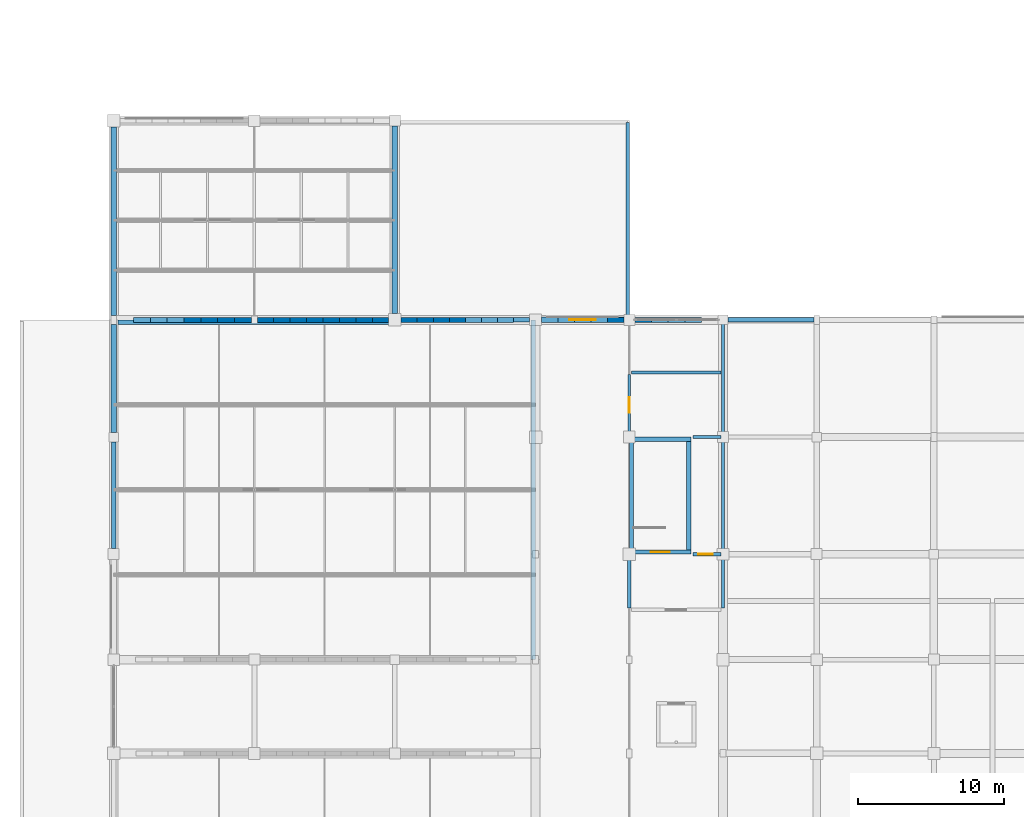
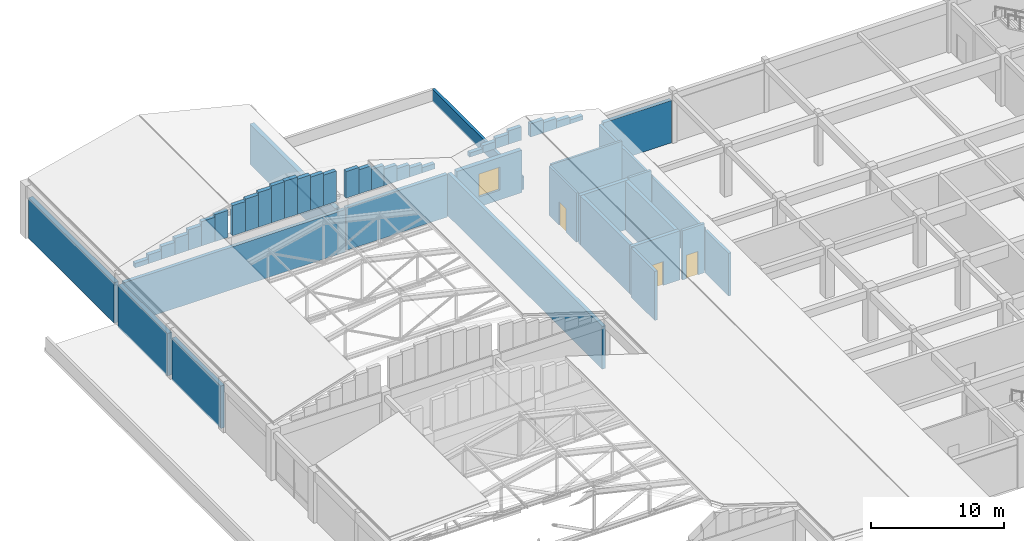
# One storey, part 49 of 61: 52 walls, 3 doors, 1 window, 4 openings.
"""IFC4 building model written with IfcOpenShell, lengths in metres."""

from ifc_helpers import new_model, si_unit, direction, frame, frame_2d, origin, place, context, subcontext, project, spatial, rectangle, extrude, material, layer, layer_set, type_object, element, fill, save


model = new_model("IFC4")

# Units and contexts
model_context = context("Model", 3, precision=1e-05, world=origin(), true_north=direction((0.0, 1.0)))
body_context = subcontext(model_context, "Body", "Model", "MODEL_VIEW")
ifc_project = project(units=[si_unit("LENGTHUNIT", "METRE"), si_unit("AREAUNIT", "SQUARE_METRE"), si_unit("VOLUMEUNIT", "CUBIC_METRE"), si_unit("PLANEANGLEUNIT", "RADIAN"), si_unit("MASSUNIT", "GRAM", prefix="KILO")], contexts=[model_context])

# Site, building, storey
site_placement = place(None, origin())
site = spatial("IfcSite", under=ifc_project, at=site_placement, CompositionType="ELEMENT")
building_placement = place(site_placement, origin())
building = spatial("IfcBuilding", under=site, at=building_placement, Name="Vellmiral Cinema and Media Centre", CompositionType="ELEMENT")
storey_placement = place(building_placement, frame((0.0, 0.0, 10.800048828125)))
storey = spatial("IfcBuildingStorey", under=building, at=storey_placement, Name="L02", CompositionType="ELEMENT", Elevation=10.800048828125)

# Walls
ifc_material_1 = material(Name="Concrete C40/50", Category="concrete")
ifc_layer_1 = layer(ifc_material_1, 0.2099609375, Name="Concrete C40/50")
ifc_layer_set_1 = layer_set([ifc_layer_1], Name="Concrete C40/50")
wall_type_1 = type_object("IfcWallType", Name="WL-COMP-210", PredefinedType="SOLIDWALL", material=ifc_layer_set_1)
wall_1_placement = place(storey_placement, frame((45.93994140625, 87.199951171875, 0.0), z_axis=(0.0, 0.0, 1.0), x_axis=(1.0, 0.0, 0.0)))
element("IfcWall", 1, at=wall_1_placement, inside=storey, type_object=wall_type_1, Name="North-West Core Smoke Riser Room Wall N", PredefinedType="SOLIDWALL", context=body_context, shape_type="SweptSolid", body=[
    extrude(rectangle(XDim=1.920166015625, YDim=0.2099609375, at=frame_2d((0.9599609375, 0.0))), origin(), (0.0, 0.0, 1.0), 4.5),
])
wall_2_placement = place(storey_placement, frame((48.0, 79.340087890625, 0.0), z_axis=(0.0, 0.0, 1.0), x_axis=(0.0, 1.0, 0.0)))
element("IfcWall", 2, at=wall_2_placement, inside=storey, type_object=wall_type_1, Name="North-West Core Smoke Riser Room Wall E", PredefinedType="SOLIDWALL", context=body_context, shape_type="SweptSolid", body=[
    extrude(rectangle(XDim=7.719970703125, YDim=0.2099609375, at=frame_2d((3.85986328125, 0.0))), origin(), (0.0, 0.0, 1.0), 3.89990234375),
])
wall_3_placement = place(storey_placement, frame((48.0, 87.199951171875, 0.0), z_axis=(0.0, 0.0, 1.0), x_axis=(0.0, 1.0, 0.0)))
element("IfcWall", 3, at=wall_3_placement, inside=storey, type_object=wall_type_1, Name="Media Stack Room Wall W", PredefinedType="SOLIDWALL", context=body_context, shape_type="SweptSolid", body=[
    extrude(rectangle(XDim=7.824951171875, YDim=0.2099609375, at=frame_2d((3.91259765625, 0.0))), origin(), (0.0, 0.0, 1.0), 3.89990234375),
])
ifc_material_2 = material(Name="Concrete C40/50", Category="concrete")
ifc_layer_2 = layer(ifc_material_2, 0.300048828125, Name="Concrete C40/50")
ifc_layer_set_2 = layer_set([ifc_layer_2], Name="Concrete C40/50")
wall_type_2 = type_object("IfcWallType", Name="WL-CORE-300", PredefinedType="SHEAR", material=ifc_layer_set_2)
wall_4_placement = place(storey_placement, frame((6.699951171875, 95.050048828125, 0.0), z_axis=(0.0, 0.0, 1.0), x_axis=(1.0, 0.0, 0.0)))
element("IfcWall", 4, at=wall_4_placement, inside=storey, type_object=wall_type_2, Name="Cinema Screen 3 Acoustic Enclosure Wall L02-N1", PredefinedType="SHEAR", context=body_context, shape_type="SweptSolid", body=[
    extrude(rectangle(XDim=19.175048828125, YDim=0.300048828125, at=frame_2d((9.58740234375, 0.0))), origin(), (0.0, 0.0, 1.0), 3.89990234375),
])
wall_5_placement = place(storey_placement, frame((35.050048828125, 72.0, 0.0), z_axis=(0.0, 0.0, 1.0), x_axis=(0.0, 1.0, 0.0)))
element("IfcWall", 5, at=wall_5_placement, inside=storey, type_object=wall_type_2, Name="Cinema Screen 3 Acoustic Enclosure Wall L02-E1", PredefinedType="SHEAR", context=body_context, shape_type="SweptSolid", body=[
    extrude(rectangle(XDim=23.199951171875, YDim=0.300048828125, at=frame_2d((11.60009765625, 0.0))), origin(), (0.0, 0.0, 1.0), 3.89990234375),
])

# Wall, opening, door
wall_6_placement = place(storey_placement, frame((41.60009765625, 79.35009765625, 0.0), z_axis=(0.0, 0.0, 1.0), x_axis=(1.0, 0.0, 0.0)))
wall_6 = element("IfcWall", 6, at=wall_6_placement, inside=storey, type_object=wall_type_2, Name="Stair Core Wall ST-P2 L02-S", PredefinedType="SHEAR", context=body_context, shape_type="SweptSolid", body=[
    extrude(rectangle(XDim=4.199951171875, YDim=0.300048828125, at=frame_2d((2.10009765625, 0.0))), origin(), (0.0, 0.0, 1.0), 4.5),
])
opening_1_placement = place(wall_6_placement, frame((1.449951171875, 0.0, 0.0)))
opening_1 = element("IfcOpeningElement", 7, at=opening_1_placement, cuts=wall_6, Name="Opening D-FD30A", PredefinedType="OPENING", context=body_context, shape_type="SweptSolid", body=[
    extrude(rectangle(XDim=1.300048828125, YDim=2.179931640625, at=frame_2d((0.64990234375, 1.08984375))), frame((0.0, 0.162109375, 0.0), z_axis=(0.0, -1.0, 0.0), x_axis=(1.0, 0.0, 0.0)), (0.0, 0.0, 1.0), 0.323974609375),
])
ifc_material_3 = material(Name="Steel Stair Fire Door", Category="steel")
door_type_1 = type_object("IfcDoorType", Name="DR-FD30-1300x2180", OperationType="NOTDEFINED", PredefinedType="DOOR", material=ifc_material_3)
door_1_placement = place(opening_1_placement, origin())
door_1 = element("IfcDoor", 8, at=door_1_placement, inside=storey, type_object=door_type_1, Name="Protected Stair Door ST-P2 L02", OperationType="SINGLE_SWING_LEFT", OverallHeight=2.179931640625, OverallWidth=1.300048828125, PredefinedType="DOOR", context=body_context, shape_type="SweptSolid", body=[
    extrude(rectangle(XDim=1.300048828125, YDim=2.179931640625, at=frame_2d((0.64990234375, 1.08984375))), frame((0.0, 0.02490234375, 0.0), z_axis=(0.0, -1.0, 0.0), x_axis=(1.0, 0.0, 0.0)), (0.0, 0.0, 1.0), 0.050048828125),
])
fill(opening_1, door_1)

# Walls
wall_7_placement = place(storey_placement, frame((41.60009765625, 87.050048828125, 0.0), z_axis=(0.0, 0.0, 1.0), x_axis=(1.0, 0.0, 0.0)))
element("IfcWall", 9, at=wall_7_placement, inside=storey, type_object=wall_type_2, Name="Stair Core Wall ST-P2 L02-N", PredefinedType="SHEAR", context=body_context, shape_type="SweptSolid", body=[
    extrude(rectangle(XDim=4.199951171875, YDim=0.300048828125, at=frame_2d((2.10009765625, 0.0))), origin(), (0.0, 0.0, 1.0), 4.5),
])
for number, where, z_axis, x_axis, name in (
    (10, (41.75, 79.5, 0.0), (0.0, 0.0, 1.0), (0.0, 1.0, 0.0), "Stair Core Wall ST-P2 L02-W"),
    (11, (45.64990234375, 79.5, 0.0), (0.0, 0.0, 1.0), (0.0, 1.0, 0.0), "Stair Core Wall ST-P2 L02-E"),
):
    element("IfcWall", number, at=place(storey_placement, frame(where, z_axis=z_axis, x_axis=x_axis)), inside=storey, type_object=wall_type_2, Name=name, PredefinedType="SHEAR", context=body_context, shape_type="SweptSolid", body=[
        extrude(rectangle(XDim=7.39990234375, YDim=0.300048828125, at=frame_2d((3.699951171875, 0.0))), origin(), (0.0, 0.0, 1.0), 4.5),
    ])
ifc_material_4 = material(Name="Polychrome Glazed Ceramic Cladding", Category="masonry")
ifc_layer_3 = layer(ifc_material_4, 0.320068359375, Name="Polychrome Glazed Ceramic Cladding")
ifc_layer_set_3 = layer_set([ifc_layer_3], Name="Polychrome Glazed Ceramic Cladding")
wall_type_3 = type_object("IfcWallType", Name="WL-EXT-BRICK-320", PredefinedType="SOLIDWALL", material=ifc_layer_set_3)
wall_8_placement = place(storey_placement, frame((54.199951171875, 95.199951171875, 0.0), z_axis=(0.0, 0.0, 1.0), x_axis=(-1.0, 0.0, 0.0)))
element("IfcWall", 12, at=wall_8_placement, inside=storey, type_object=wall_type_3, Name="Exterior Facade Wall L02-066", PredefinedType="SOLIDWALL", context=body_context, shape_type="SweptSolid", body=[
    extrude(rectangle(XDim=5.875, YDim=0.320068359375, at=frame_2d((2.9375, 0.0))), origin(), (0.0, 0.0, 1.0), 3.885009765625),
])
wall_9_placement = place(storey_placement, frame((34.800048828125, 95.199951171875, 0.0), z_axis=(0.0, 0.0, 1.0), x_axis=(-1.0, 0.0, 0.0)))
element("IfcWall", 13, at=wall_9_placement, inside=storey, type_object=wall_type_3, Name="Exterior Facade Wall L02-069", PredefinedType="SOLIDWALL", context=body_context, shape_type="SweptSolid", body=[
    extrude(rectangle(XDim=8.775146484375, YDim=0.320068359375, at=frame_2d((4.3876953125, 0.0))), origin(), (0.0, 0.0, 1.0), 3.89990234375),
])
wall_10_placement = place(storey_placement, frame((6.39990234375, 86.875, 0.0), z_axis=(0.0, 0.0, 1.0), x_axis=(0.0, -1.0, 0.0)))
element("IfcWall", 14, at=wall_10_placement, inside=storey, type_object=wall_type_3, Name="Exterior Facade Wall L02-075", PredefinedType="SOLIDWALL", context=body_context, shape_type="SweptSolid", body=[
    extrude(rectangle(XDim=7.300048828125, YDim=0.320068359375, at=frame_2d((3.64990234375, 0.0))), origin(), (0.0, 0.0, 1.0), 3.89990234375),
])
ifc_material_5 = material(Name="Vosges Red Sandstone Masonry", Category="masonry")
ifc_layer_4 = layer(ifc_material_5, 0.340087890625, Name="Vosges Red Sandstone Masonry")
ifc_layer_set_4 = layer_set([ifc_layer_4], Name="Vosges Red Sandstone Masonry")
wall_type_4 = type_object("IfcWallType", Name="WL-EXT-SAND-340", PredefinedType="SOLIDWALL", material=ifc_layer_set_4)
wall_11_placement = place(storey_placement, frame((7.75, 95.199951171875, 4.800048828125), z_axis=(0.0, 0.0, 1.0), x_axis=(1.0, 0.0, 0.0)))
element("IfcWall", 15, at=wall_11_placement, inside=storey, type_object=wall_type_4, Name="Cinema Screen 3 Gable End Wall N-1", PredefinedType="SOLIDWALL", context=body_context, shape_type="SweptSolid", body=[
    extrude(rectangle(XDim=1.14990234375, YDim=0.340087890625, at=frame_2d((0.574951171875, 0.0))), origin(), (0.0, 0.0, 1.0), 0.425537109375),
])
wall_12_placement = place(storey_placement, frame((8.89990234375, 95.199951171875, 4.800048828125), z_axis=(0.0, 0.0, 1.0), x_axis=(1.0, 0.0, 0.0)))
element("IfcWall", 16, at=wall_12_placement, inside=storey, type_object=wall_type_4, Name="Cinema Screen 3 Gable End Wall N-2", PredefinedType="SOLIDWALL", context=body_context, shape_type="SweptSolid", body=[
    extrude(rectangle(XDim=1.150146484375, YDim=0.340087890625, at=frame_2d((0.5751953125, 0.0))), origin(), (0.0, 0.0, 1.0), 0.7880859375),
])
wall_13_placement = place(storey_placement, frame((10.050048828125, 95.199951171875, 4.800048828125), z_axis=(0.0, 0.0, 1.0), x_axis=(1.0, 0.0, 0.0)))
element("IfcWall", 17, at=wall_13_placement, inside=storey, type_object=wall_type_4, Name="Cinema Screen 3 Gable End Wall N-3", PredefinedType="SOLIDWALL", context=body_context, shape_type="SweptSolid", body=[
    extrude(rectangle(XDim=1.14990234375, YDim=0.340087890625, at=frame_2d((0.574951171875, 0.0))), origin(), (0.0, 0.0, 1.0), 1.150634765625),
])
wall_14_placement = place(storey_placement, frame((11.199951171875, 95.199951171875, 4.800048828125), z_axis=(0.0, 0.0, 1.0), x_axis=(1.0, 0.0, 0.0)))
element("IfcWall", 18, at=wall_14_placement, inside=storey, type_object=wall_type_4, Name="Cinema Screen 3 Gable End Wall N-4", PredefinedType="SOLIDWALL", context=body_context, shape_type="SweptSolid", body=[
    extrude(rectangle(XDim=1.150146484375, YDim=0.340087890625, at=frame_2d((0.5751953125, 0.0))), origin(), (0.0, 0.0, 1.0), 1.51318359375),
])
wall_15_placement = place(storey_placement, frame((12.35009765625, 95.199951171875, 4.800048828125), z_axis=(0.0, 0.0, 1.0), x_axis=(1.0, 0.0, 0.0)))
element("IfcWall", 19, at=wall_15_placement, inside=storey, type_object=wall_type_4, Name="Cinema Screen 3 Gable End Wall N-5", PredefinedType="SOLIDWALL", context=body_context, shape_type="SweptSolid", body=[
    extrude(rectangle(XDim=1.14990234375, YDim=0.340087890625, at=frame_2d((0.574951171875, 0.0))), origin(), (0.0, 0.0, 1.0), 1.8759765625),
])
wall_16_placement = place(storey_placement, frame((13.5, 95.199951171875, 4.800048828125), z_axis=(0.0, 0.0, 1.0), x_axis=(1.0, 0.0, 0.0)))
element("IfcWall", 20, at=wall_16_placement, inside=storey, type_object=wall_type_4, Name="Cinema Screen 3 Gable End Wall N-6", PredefinedType="SOLIDWALL", context=body_context, shape_type="SweptSolid", body=[
    extrude(rectangle(XDim=1.14990234375, YDim=0.340087890625, at=frame_2d((0.574951171875, 0.0))), origin(), (0.0, 0.0, 1.0), 2.238525390625),
])
wall_17_placement = place(storey_placement, frame((14.64990234375, 95.199951171875, 4.800048828125), z_axis=(0.0, 0.0, 1.0), x_axis=(1.0, 0.0, 0.0)))
element("IfcWall", 21, at=wall_17_placement, inside=storey, type_object=wall_type_4, Name="Cinema Screen 3 Gable End Wall N-7", PredefinedType="SOLIDWALL", context=body_context, shape_type="SweptSolid", body=[
    extrude(rectangle(XDim=1.150146484375, YDim=0.340087890625, at=frame_2d((0.5751953125, 0.0))), origin(), (0.0, 0.0, 1.0), 2.464599609375),
])
wall_18_placement = place(storey_placement, frame((16.199951171875, 95.199951171875, 4.800048828125), z_axis=(0.0, 0.0, 1.0), x_axis=(1.0, 0.0, 0.0)))
element("IfcWall", 22, at=wall_18_placement, inside=storey, type_object=wall_type_4, Name="Cinema Screen 3 Gable End Wall N-8", PredefinedType="SOLIDWALL", context=body_context, shape_type="SweptSolid", body=[
    extrude(rectangle(XDim=1.1220703125, YDim=0.340087890625, at=frame_2d((0.56103515625, 0.0))), origin(), (0.0, 0.0, 1.0), 2.751953125),
])
wall_19_placement = place(storey_placement, frame((17.322021484375, 95.199951171875, 4.800048828125), z_axis=(0.0, 0.0, 1.0), x_axis=(1.0, 0.0, 0.0)))
element("IfcWall", 23, at=wall_19_placement, inside=storey, type_object=wall_type_4, Name="Cinema Screen 3 Gable End Wall N-9", PredefinedType="SOLIDWALL", context=body_context, shape_type="SweptSolid", body=[
    extrude(rectangle(XDim=1.121826171875, YDim=0.340087890625, at=frame_2d((0.56103515625, 0.0))), origin(), (0.0, 0.0, 1.0), 2.9599609375),
])
wall_20_placement = place(storey_placement, frame((18.44384765625, 95.199951171875, 4.800048828125), z_axis=(0.0, 0.0, 1.0), x_axis=(1.0, 0.0, 0.0)))
element("IfcWall", 24, at=wall_20_placement, inside=storey, type_object=wall_type_4, Name="Cinema Screen 3 Gable End Wall N-10", PredefinedType="SOLIDWALL", context=body_context, shape_type="SweptSolid", body=[
    extrude(rectangle(XDim=1.121826171875, YDim=0.340087890625, at=frame_2d((0.56103515625, 0.0))), origin(), (0.0, 0.0, 1.0), 3.167724609375),
])
wall_21_placement = place(storey_placement, frame((19.565673828125, 95.199951171875, 4.800048828125), z_axis=(0.0, 0.0, 1.0), x_axis=(1.0, 0.0, 0.0)))
element("IfcWall", 25, at=wall_21_placement, inside=storey, type_object=wall_type_4, Name="Cinema Screen 3 Gable End Wall N-11", PredefinedType="SOLIDWALL", context=body_context, shape_type="SweptSolid", body=[
    extrude(rectangle(XDim=1.121826171875, YDim=0.340087890625, at=frame_2d((0.56103515625, 0.0))), origin(), (0.0, 0.0, 1.0), 3.375732421875),
])
wall_22_placement = place(storey_placement, frame((20.6875, 95.199951171875, 4.800048828125), z_axis=(0.0, 0.0, 1.0), x_axis=(1.0, 0.0, 0.0)))
element("IfcWall", 26, at=wall_22_placement, inside=storey, type_object=wall_type_4, Name="Cinema Screen 3 Gable End Wall N-12", PredefinedType="SOLIDWALL", context=body_context, shape_type="SweptSolid", body=[
    extrude(rectangle(XDim=1.121826171875, YDim=0.340087890625, at=frame_2d((0.56103515625, 0.0))), origin(), (0.0, 0.0, 1.0), 3.41748046875),
])
wall_23_placement = place(storey_placement, frame((21.809326171875, 95.199951171875, 4.800048828125), z_axis=(0.0, 0.0, 1.0), x_axis=(1.0, 0.0, 0.0)))
element("IfcWall", 27, at=wall_23_placement, inside=storey, type_object=wall_type_4, Name="Cinema Screen 3 Gable End Wall N-13", PredefinedType="SOLIDWALL", context=body_context, shape_type="SweptSolid", body=[
    extrude(rectangle(XDim=1.121826171875, YDim=0.340087890625, at=frame_2d((0.56103515625, 0.0))), origin(), (0.0, 0.0, 1.0), 3.20947265625),
])
wall_24_placement = place(storey_placement, frame((22.93115234375, 95.199951171875, 4.800048828125), z_axis=(0.0, 0.0, 1.0), x_axis=(1.0, 0.0, 0.0)))
element("IfcWall", 28, at=wall_24_placement, inside=storey, type_object=wall_type_4, Name="Cinema Screen 3 Gable End Wall N-14", PredefinedType="SOLIDWALL", context=body_context, shape_type="SweptSolid", body=[
    extrude(rectangle(XDim=1.121826171875, YDim=0.340087890625, at=frame_2d((0.56103515625, 0.0))), origin(), (0.0, 0.0, 1.0), 3.001708984375),
])
wall_25_placement = place(storey_placement, frame((24.052978515625, 95.199951171875, 4.800048828125), z_axis=(0.0, 0.0, 1.0), x_axis=(1.0, 0.0, 0.0)))
element("IfcWall", 29, at=wall_25_placement, inside=storey, type_object=wall_type_4, Name="Cinema Screen 3 Gable End Wall N-15", PredefinedType="SOLIDWALL", context=body_context, shape_type="SweptSolid", body=[
    extrude(rectangle(XDim=1.1220703125, YDim=0.340087890625, at=frame_2d((0.56103515625, 0.0))), origin(), (0.0, 0.0, 1.0), 2.793701171875),
])
wall_26_placement = place(storey_placement, frame((26.02490234375, 95.199951171875, 4.800048828125), z_axis=(0.0, 0.0, 1.0), x_axis=(1.0, 0.0, 0.0)))
element("IfcWall", 30, at=wall_26_placement, inside=storey, type_object=wall_type_4, Name="Cinema Screen 3 Gable End Wall N-16", PredefinedType="SOLIDWALL", context=body_context, shape_type="SweptSolid", body=[
    extrude(rectangle(XDim=1.096923828125, YDim=0.340087890625, at=frame_2d((0.54833984375, 0.0))), origin(), (0.0, 0.0, 1.0), 2.432861328125),
])
wall_27_placement = place(storey_placement, frame((27.121826171875, 95.199951171875, 4.800048828125), z_axis=(0.0, 0.0, 1.0), x_axis=(1.0, 0.0, 0.0)))
element("IfcWall", 31, at=wall_27_placement, inside=storey, type_object=wall_type_4, Name="Cinema Screen 3 Gable End Wall N-17", PredefinedType="SOLIDWALL", context=body_context, shape_type="SweptSolid", body=[
    extrude(rectangle(XDim=1.096923828125, YDim=0.340087890625, at=frame_2d((0.54833984375, 0.0))), origin(), (0.0, 0.0, 1.0), 2.201171875),
])
wall_28_placement = place(storey_placement, frame((28.21875, 95.199951171875, 4.800048828125), z_axis=(0.0, 0.0, 1.0), x_axis=(1.0, 0.0, 0.0)))
element("IfcWall", 32, at=wall_28_placement, inside=storey, type_object=wall_type_4, Name="Cinema Screen 3 Gable End Wall N-18", PredefinedType="SOLIDWALL", context=body_context, shape_type="SweptSolid", body=[
    extrude(rectangle(XDim=1.096923828125, YDim=0.340087890625, at=frame_2d((0.54833984375, 0.0))), origin(), (0.0, 0.0, 1.0), 1.855224609375),
])
wall_29_placement = place(storey_placement, frame((29.315673828125, 95.199951171875, 4.800048828125), z_axis=(0.0, 0.0, 1.0), x_axis=(1.0, 0.0, 0.0)))
element("IfcWall", 33, at=wall_29_placement, inside=storey, type_object=wall_type_4, Name="Cinema Screen 3 Gable End Wall N-19", PredefinedType="SOLIDWALL", context=body_context, shape_type="SweptSolid", body=[
    extrude(rectangle(XDim=1.096923828125, YDim=0.340087890625, at=frame_2d((0.54833984375, 0.0))), origin(), (0.0, 0.0, 1.0), 1.509521484375),
])
wall_30_placement = place(storey_placement, frame((30.41259765625, 95.199951171875, 4.800048828125), z_axis=(0.0, 0.0, 1.0), x_axis=(1.0, 0.0, 0.0)))
element("IfcWall", 34, at=wall_30_placement, inside=storey, type_object=wall_type_4, Name="Cinema Screen 3 Gable End Wall N-20", PredefinedType="SOLIDWALL", context=body_context, shape_type="SweptSolid", body=[
    extrude(rectangle(XDim=1.096923828125, YDim=0.340087890625, at=frame_2d((0.54833984375, 0.0))), origin(), (0.0, 0.0, 1.0), 1.16357421875),
])
wall_31_placement = place(storey_placement, frame((31.509521484375, 95.199951171875, 4.800048828125), z_axis=(0.0, 0.0, 1.0), x_axis=(1.0, 0.0, 0.0)))
element("IfcWall", 35, at=wall_31_placement, inside=storey, type_object=wall_type_4, Name="Cinema Screen 3 Gable End Wall N-21", PredefinedType="SOLIDWALL", context=body_context, shape_type="SweptSolid", body=[
    extrude(rectangle(XDim=1.0966796875, YDim=0.340087890625, at=frame_2d((0.54833984375, 0.0))), origin(), (0.0, 0.0, 1.0), 0.817626953125),
])
wall_32_placement = place(storey_placement, frame((32.606201171875, 95.199951171875, 4.800048828125), z_axis=(0.0, 0.0, 1.0), x_axis=(1.0, 0.0, 0.0)))
element("IfcWall", 36, at=wall_32_placement, inside=storey, type_object=wall_type_4, Name="Cinema Screen 3 Gable End Wall N-22", PredefinedType="SOLIDWALL", context=body_context, shape_type="SweptSolid", body=[
    extrude(rectangle(XDim=1.096923828125, YDim=0.340087890625, at=frame_2d((0.54833984375, 0.0))), origin(), (0.0, 0.0, 1.0), 0.471923828125),
])
wall_33_placement = place(storey_placement, frame((36.72509765625, 95.199951171875, 4.800048828125), z_axis=(0.0, 0.0, 1.0), x_axis=(1.0, 0.0, 0.0)))
element("IfcWall", 37, at=wall_33_placement, inside=storey, type_object=wall_type_4, Name="West Premiere Concourse Gallery Vault Gable End Wall N-1", PredefinedType="SOLIDWALL", context=body_context, shape_type="SweptSolid", body=[
    extrude(rectangle(XDim=1.125, YDim=0.340087890625, at=frame_2d((0.5625, 0.0))), origin(), (0.0, 0.0, 1.0), 0.380126953125),
])
wall_34_placement = place(storey_placement, frame((37.85009765625, 95.199951171875, 4.800048828125), z_axis=(0.0, 0.0, 1.0), x_axis=(1.0, 0.0, 0.0)))
element("IfcWall", 38, at=wall_34_placement, inside=storey, type_object=wall_type_4, Name="West Premiere Concourse Gallery Vault Gable End Wall N-2", PredefinedType="SOLIDWALL", context=body_context, shape_type="SweptSolid", body=[
    extrude(rectangle(XDim=1.125, YDim=0.340087890625, at=frame_2d((0.5625, 0.0))), origin(), (0.0, 0.0, 1.0), 0.66064453125),
])
wall_35_placement = place(storey_placement, frame((38.97509765625, 95.199951171875, 4.800048828125), z_axis=(0.0, 0.0, 1.0), x_axis=(1.0, 0.0, 0.0)))
element("IfcWall", 39, at=wall_35_placement, inside=storey, type_object=wall_type_4, Name="West Premiere Concourse Gallery Vault Gable End Wall N-3", PredefinedType="SOLIDWALL", context=body_context, shape_type="SweptSolid", body=[
    extrude(rectangle(XDim=1.125, YDim=0.340087890625, at=frame_2d((0.5625, 0.0))), origin(), (0.0, 0.0, 1.0), 0.941162109375),
])
wall_36_placement = place(storey_placement, frame((40.10009765625, 95.199951171875, 4.800048828125), z_axis=(0.0, 0.0, 1.0), x_axis=(1.0, 0.0, 0.0)))
element("IfcWall", 40, at=wall_36_placement, inside=storey, type_object=wall_type_4, Name="West Premiere Concourse Gallery Vault Gable End Wall N-4", PredefinedType="SOLIDWALL", context=body_context, shape_type="SweptSolid", body=[
    extrude(rectangle(XDim=1.125, YDim=0.340087890625, at=frame_2d((0.5625, 0.0))), origin(), (0.0, 0.0, 1.0), 1.2216796875),
])
wall_37_placement = place(storey_placement, frame((41.97509765625, 95.199951171875, 4.800048828125), z_axis=(0.0, 0.0, 1.0), x_axis=(1.0, 0.0, 0.0)))
element("IfcWall", 41, at=wall_37_placement, inside=storey, type_object=wall_type_4, Name="West Premiere Concourse Gallery Vault Gable End Wall N-5", PredefinedType="SOLIDWALL", context=body_context, shape_type="SweptSolid", body=[
    extrude(rectangle(XDim=1.139892578125, YDim=0.340087890625, at=frame_2d((0.56982421875, 0.0))), origin(), (0.0, 0.0, 1.0), 1.218017578125),
])
wall_38_placement = place(storey_placement, frame((43.114990234375, 95.199951171875, 4.800048828125), z_axis=(0.0, 0.0, 1.0), x_axis=(1.0, 0.0, 0.0)))
element("IfcWall", 42, at=wall_38_placement, inside=storey, type_object=wall_type_4, Name="West Premiere Concourse Gallery Vault Gable End Wall N-6", PredefinedType="SOLIDWALL", context=body_context, shape_type="SweptSolid", body=[
    extrude(rectangle(XDim=1.139892578125, YDim=0.340087890625, at=frame_2d((0.56982421875, 0.0))), origin(), (0.0, 0.0, 1.0), 0.93359375),
])
wall_39_placement = place(storey_placement, frame((44.2548828125, 95.199951171875, 4.800048828125), z_axis=(0.0, 0.0, 1.0), x_axis=(1.0, 0.0, 0.0)))
element("IfcWall", 43, at=wall_39_placement, inside=storey, type_object=wall_type_4, Name="West Premiere Concourse Gallery Vault Gable End Wall N-7", PredefinedType="SOLIDWALL", context=body_context, shape_type="SweptSolid", body=[
    extrude(rectangle(XDim=1.14013671875, YDim=0.340087890625, at=frame_2d((0.570068359375, 0.0))), origin(), (0.0, 0.0, 1.0), 0.6494140625),
])
wall_40_placement = place(storey_placement, frame((45.39501953125, 95.199951171875, 4.800048828125), z_axis=(0.0, 0.0, 1.0), x_axis=(1.0, 0.0, 0.0)))
element("IfcWall", 44, at=wall_40_placement, inside=storey, type_object=wall_type_4, Name="West Premiere Concourse Gallery Vault Gable End Wall N-8", PredefinedType="SOLIDWALL", context=body_context, shape_type="SweptSolid", body=[
    extrude(rectangle(XDim=1.139892578125, YDim=0.340087890625, at=frame_2d((0.56982421875, 0.0))), origin(), (0.0, 0.0, 1.0), 0.365234375),
])

# Wall, opening, window
ifc_material_6 = material(Name="Vosges Red Sandstone Masonry", Category="masonry")
ifc_layer_5 = layer(ifc_material_6, 0.3798828125, Name="Vosges Red Sandstone Masonry")
ifc_layer_set_5 = layer_set([ifc_layer_5], Name="Vosges Red Sandstone Masonry")
wall_type_5 = type_object("IfcWallType", Name="WL-EXT-SAND-380", PredefinedType="SOLIDWALL", material=ifc_layer_set_5)
wall_41_placement = place(storey_placement, frame((41.22509765625, 95.199951171875, 0.0), z_axis=(0.0, 0.0, 1.0), x_axis=(-1.0, 0.0, 0.0)))
wall_41 = element("IfcWall", 45, at=wall_41_placement, inside=storey, type_object=wall_type_5, Name="Exterior Facade Wall L02-068", PredefinedType="SOLIDWALL", context=body_context, shape_type="SweptSolid", body=[
    extrude(rectangle(XDim=5.625, YDim=0.3798828125, at=frame_2d((2.8125, 0.0))), origin(), (0.0, 0.0, 1.0), 3.889892578125),
])
opening_2_placement = place(wall_41_placement, frame((1.91259765625, 0.0, 0.89990234375)))
opening_2 = element("IfcOpeningElement", 46, at=opening_2_placement, cuts=wall_41, Name="Opening WN-03", PredefinedType="OPENING", context=body_context, shape_type="SweptSolid", body=[
    extrude(rectangle(XDim=1.800048828125, YDim=2.10009765625, at=frame_2d((0.89990234375, 1.050048828125))), frame((0.0, 0.201904296875, 0.0), z_axis=(0.0, -1.0, 0.0), x_axis=(1.0, 0.0, 0.0)), (0.0, 0.0, 1.0), 0.40380859375),
])
ifc_material_7 = material(Name="Thermally Broken Aluminium Triple Glazing", Category="aluminium")
window_type = type_object("IfcWindowType", Name="WN-1800x2100", PartitioningType="DOUBLE_PANEL_VERTICAL", PredefinedType="WINDOW", material=ifc_material_7)
window_placement = place(opening_2_placement, origin())
window = element("IfcWindow", 47, at=window_placement, inside=storey, type_object=window_type, Name="Window L02-068", OverallHeight=2.10009765625, OverallWidth=1.800048828125, PartitioningType="DOUBLE_PANEL_VERTICAL", PredefinedType="WINDOW", context=body_context, shape_type="SweptSolid", body=[
    extrude(rectangle(XDim=1.800048828125, YDim=2.10009765625, at=frame_2d((0.89990234375, 1.050048828125))), frame((0.0, 0.030029296875, 0.0), z_axis=(0.0, -1.0, 0.0), x_axis=(1.0, 0.0, 0.0)), (0.0, 0.0, 1.0), 0.06005859375),
])
fill(opening_2, window)

# Walls
wall_42_placement = place(storey_placement, frame((25.60009765625, 95.625, 0.0), z_axis=(0.0, 0.0, 1.0), x_axis=(0.0, 1.0, 0.0)))
element("IfcWall", 48, at=wall_42_placement, inside=storey, type_object=wall_type_5, Name="Exterior Facade Wall L02-070", PredefinedType="SOLIDWALL", context=body_context, shape_type="SweptSolid", body=[
    extrude(rectangle(XDim=12.800048828125, YDim=0.3798828125, at=frame_2d((6.39990234375, 0.0))), origin(), (0.0, 0.0, 1.0), 3.699951171875),
])
wall_43_placement = place(storey_placement, frame((6.39990234375, 108.375, 0.0), z_axis=(0.0, 0.0, 1.0), x_axis=(0.0, -1.0, 0.0)))
element("IfcWall", 49, at=wall_43_placement, inside=storey, type_object=wall_type_5, Name="Exterior Facade Wall L02-073", PredefinedType="SOLIDWALL", context=body_context, shape_type="SweptSolid", body=[
    extrude(rectangle(XDim=12.875, YDim=0.3798828125, at=frame_2d((6.4375, 0.0))), origin(), (0.0, 0.0, 1.0), 3.699951171875),
])
wall_44_placement = place(storey_placement, frame((6.39990234375, 94.89990234375, 0.0), z_axis=(0.0, 0.0, 1.0), x_axis=(0.0, -1.0, 0.0)))
element("IfcWall", 50, at=wall_44_placement, inside=storey, type_object=wall_type_5, Name="Exterior Facade Wall L02-074", PredefinedType="SOLIDWALL", context=body_context, shape_type="SweptSolid", body=[
    extrude(rectangle(XDim=7.375, YDim=0.3798828125, at=frame_2d((3.6875, 0.0))), origin(), (0.0, 0.0, 1.0), 3.89990234375),
])

# Wall, opening, door
ifc_material_8 = material(Name="Concrete C40/50", Category="concrete")
ifc_layer_6 = layer(ifc_material_8, 0.22998046875, Name="Concrete C40/50")
ifc_layer_set_6 = layer_set([ifc_layer_6], Name="Concrete C40/50")
wall_type_6 = type_object("IfcWallType", Name="WL-FFL-230", PredefinedType="SOLIDWALL", material=ifc_layer_set_6)
wall_45_placement = place(storey_placement, frame((45.93994140625, 79.199951171875, 0.0), z_axis=(0.0, 0.0, 1.0), x_axis=(1.0, 0.0, 0.0)))
wall_45 = element("IfcWall", 51, at=wall_45_placement, inside=storey, type_object=wall_type_6, Name="Firefighting Stair Lobby ST-P2 Wall N", PredefinedType="SOLIDWALL", context=body_context, shape_type="SweptSolid", body=[
    extrude(rectangle(XDim=1.920166015625, YDim=0.22998046875, at=frame_2d((0.9599609375, 0.0))), origin(), (0.0, 0.0, 1.0), 4.5),
])
opening_3_placement = place(wall_45_placement, frame((0.360107421875, 0.0, 0.0)))
opening_3 = element("IfcOpeningElement", 52, at=opening_3_placement, cuts=wall_45, Name="Opening D-FD30B", PredefinedType="OPENING", context=body_context, shape_type="SweptSolid", body=[
    extrude(rectangle(XDim=1.0, YDim=2.14990234375, at=frame_2d((0.5, 1.074951171875))), frame((0.0, 0.126953125, 0.0), z_axis=(0.0, -1.0, 0.0), x_axis=(1.0, 0.0, 0.0)), (0.0, 0.0, 1.0), 0.25390625),
])
ifc_material_9 = material(Name="Steel Riser Fire Door", Category="steel")
door_type_2 = type_object("IfcDoorType", Name="DR-FD30-1000x2150", OperationType="NOTDEFINED", PredefinedType="DOOR", material=ifc_material_9)
door_2_placement = place(opening_3_placement, origin())
door_2 = element("IfcDoor", 53, at=door_2_placement, inside=storey, type_object=door_type_2, Name="North-West Core Smoke Riser Room Door", OperationType="SINGLE_SWING_LEFT", OverallHeight=2.14990234375, OverallWidth=1.0, PredefinedType="DOOR", context=body_context, shape_type="SweptSolid", body=[
    extrude(rectangle(XDim=1.0, YDim=2.14990234375, at=frame_2d((0.5, 1.074951171875))), frame((0.0, 0.02490234375, 0.0), z_axis=(0.0, -1.0, 0.0), x_axis=(1.0, 0.0, 0.0)), (0.0, 0.0, 1.0), 0.050048828125),
])
fill(opening_3, door_2)

# Walls
wall_46_placement = place(storey_placement, frame((41.60009765625, 75.5400390625, 0.0), z_axis=(0.0, 0.0, 1.0), x_axis=(0.0, 1.0, 0.0)))
element("IfcWall", 54, at=wall_46_placement, inside=storey, type_object=wall_type_6, Name="Firefighting Stair Lobby ST-P2 Wall W", PredefinedType="SOLIDWALL", context=body_context, shape_type="SweptSolid", body=[
    extrude(rectangle(XDim=3.52001953125, YDim=0.22998046875, at=frame_2d((1.760009765625, 0.0))), origin(), (0.0, 0.0, 1.0), 4.5),
])
wall_47_placement = place(storey_placement, frame((48.0, 75.5400390625, 0.0), z_axis=(0.0, 0.0, 1.0), x_axis=(0.0, 1.0, 0.0)))
element("IfcWall", 55, at=wall_47_placement, inside=storey, type_object=wall_type_6, Name="Firefighting Stair Lobby ST-P2 Wall E", PredefinedType="SOLIDWALL", context=body_context, shape_type="SweptSolid", body=[
    extrude(rectangle(XDim=3.52001953125, YDim=0.22998046875, at=frame_2d((1.760009765625, 0.0))), origin(), (0.0, 0.0, 1.0), 3.89990234375),
])
ifc_material_10 = material(Name="Vosges Red Sandstone Masonry", Category="masonry")
ifc_layer_7 = layer(ifc_material_10, 0.239990234375, Name="Vosges Red Sandstone Masonry")
ifc_layer_set_7 = layer_set([ifc_layer_7], Name="Vosges Red Sandstone Masonry")
wall_type_7 = type_object("IfcWallType", Name="WL-PARAPET-240", PredefinedType="PARAPET", material=ifc_layer_set_7)
wall_48_placement = place(storey_placement, frame((41.47998046875, 108.679931640625, 0.0), z_axis=(0.0, 0.0, 1.0), x_axis=(0.0, -1.0, 0.0)))
element("IfcWall", 56, at=wall_48_placement, inside=storey, type_object=wall_type_7, Name="Roof Parapet Wall WING2-NW-2", PredefinedType="PARAPET", context=body_context, shape_type="SweptSolid", body=[
    extrude(rectangle(XDim=13.35986328125, YDim=0.239990234375, at=frame_2d((6.679931640625, 0.0))), origin(), (0.0, 0.0, 1.0), 1.14990234375),
])

# Wall, opening, door
ifc_material_11 = material(Name="Gypsum Plasterboard")
ifc_layer_8 = layer(ifc_material_11, 0.02490234375, Name="Gypsum Plasterboard", Category="gypsum")
ifc_material_12 = material(Name="Mineral Wool Acoustic Insulation", Category="insulation")
ifc_layer_9 = layer(ifc_material_12, 0.1201171875, Name="Mineral Wool Acoustic Insulation", Category="insulation")
ifc_layer_10 = layer(ifc_material_11, 0.02490234375, Name="Gypsum Plasterboard", Category="gypsum")
ifc_layer_set_8 = layer_set([ifc_layer_8, ifc_layer_9, ifc_layer_10], Name="Gypsum Plasterboard")
wall_type_8 = type_object("IfcWallType", Name="WL-PART-170", PredefinedType="PARTITIONING", material=ifc_layer_set_8)
wall_49_placement = place(storey_placement, frame((41.60009765625, 87.340087890625, 0.0), z_axis=(0.0, 0.0, 1.0), x_axis=(0.0, 1.0, 0.0)))
wall_49 = element("IfcWall", 57, at=wall_49_placement, inside=storey, type_object=wall_type_8, Name="L02 Accessible WC Wall W", PredefinedType="PARTITIONING", context=body_context, shape_type="SweptSolid", body=[
    extrude(rectangle(XDim=4.119873046875, YDim=0.169921875, at=frame_2d((2.06005859375, 0.0))), origin(), (0.0, 0.0, 1.0), 4.5),
])
opening_4_placement = place(wall_49_placement, frame((1.534912109375, 0.0, 0.0)))
opening_4 = element("IfcOpeningElement", 58, at=opening_4_placement, cuts=wall_49, Name="Opening D-I10", PredefinedType="OPENING", context=body_context, shape_type="SweptSolid", body=[
    extrude(rectangle(XDim=1.050048828125, YDim=2.14990234375, at=frame_2d((0.52490234375, 1.074951171875))), frame((0.0, 0.096923828125, 0.0), z_axis=(0.0, -1.0, 0.0), x_axis=(1.0, 0.0, 0.0)), (0.0, 0.0, 1.0), 0.19384765625),
])
ifc_material_13 = material(Name="Barrier-Free Timber Door", Category="wood")
door_type_3 = type_object("IfcDoorType", Name="DR-ACC-1050x2150", OperationType="NOTDEFINED", PredefinedType="DOOR", material=ifc_material_13)
door_3_placement = place(opening_4_placement, frame((1.050048828125, 0.0, 0.0), z_axis=(0.0, 0.0, 1.0), x_axis=(-1.0, 0.0, 0.0)))
door_3 = element("IfcDoor", 59, at=door_3_placement, inside=storey, type_object=door_type_3, Name="L02 Accessible WC Door", OperationType="SINGLE_SWING_LEFT", OverallHeight=2.14990234375, OverallWidth=1.050048828125, PredefinedType="DOOR", context=body_context, shape_type="SweptSolid", body=[
    extrude(rectangle(XDim=1.050048828125, YDim=2.14990234375, at=frame_2d((0.52490234375, 1.074951171875))), frame((0.0, 0.02490234375, 0.0), z_axis=(0.0, -1.0, 0.0), x_axis=(1.0, 0.0, 0.0)), (0.0, 0.0, 1.0), 0.050048828125),
])
fill(opening_4, door_3)

# Wall
ifc_material_14 = material(Name="Gypsum Plasterboard")
ifc_layer_11 = layer(ifc_material_14, 0.02490234375, Name="Gypsum Plasterboard", Category="gypsum")
ifc_material_15 = material(Name="Mineral Wool Acoustic Insulation", Category="insulation")
ifc_layer_12 = layer(ifc_material_15, 0.139892578125, Name="Mineral Wool Acoustic Insulation", Category="insulation")
ifc_layer_13 = layer(ifc_material_14, 0.02490234375, Name="Gypsum Plasterboard", Category="gypsum")
ifc_layer_set_9 = layer_set([ifc_layer_11, ifc_layer_12, ifc_layer_13], Name="Gypsum Plasterboard")
wall_type_9 = type_object("IfcWallType", Name="WL-PART-190", PredefinedType="PARTITIONING", material=ifc_layer_set_9)
wall_50_placement = place(storey_placement, frame((41.739990234375, 91.60009765625, 0.0), z_axis=(0.0, 0.0, 1.0), x_axis=(1.0, 0.0, 0.0)))
element("IfcWall", 60, at=wall_50_placement, inside=storey, type_object=wall_type_9, Name="L02 Accessible WC Wall N", PredefinedType="PARTITIONING", context=body_context, shape_type="SweptSolid", body=[
    extrude(rectangle(XDim=6.1201171875, YDim=0.18994140625, at=frame_2d((3.06005859375, 0.0))), origin(), (0.0, 0.0, 1.0), 4.5),
])

save(model, "model.ifc")
